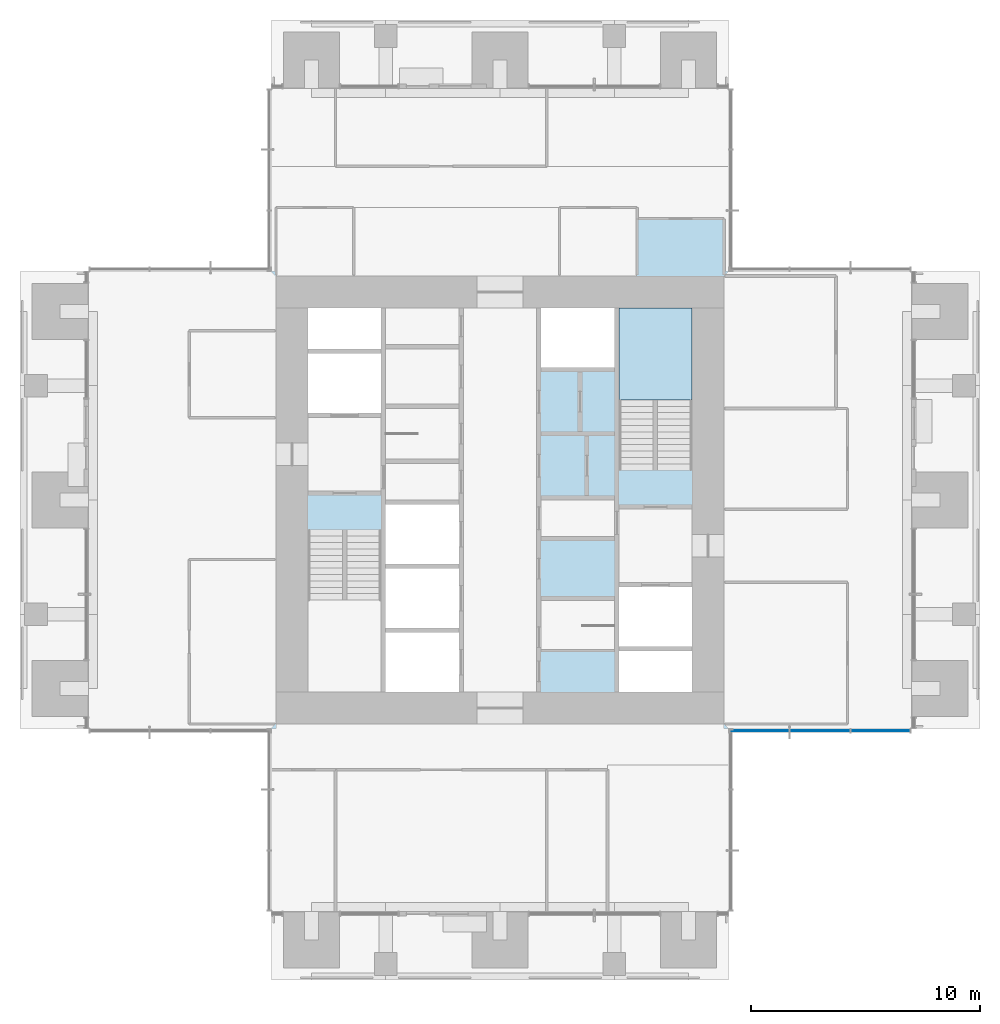
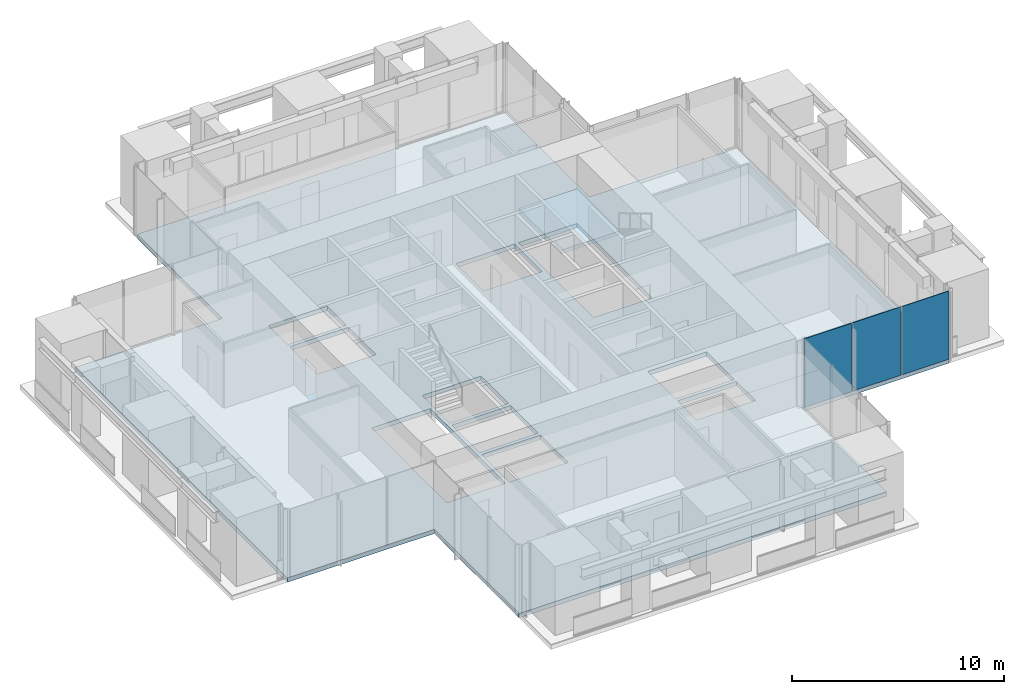
# One storey, part 9 of 17: 3 plates, 2 slabs, 2 elements without a shape of their own.
"""IFC4 building model written with IfcOpenShell, lengths in metres."""

from ifc_helpers import new_model, si_unit, direction, frame, origin, origin_2d, place, context, subcontext, project, spatial, polyline, rectangle, outline, extrude, material, layer, layer_set, type_object, element, aggregate, save


model = new_model("IFC4")

# Units and contexts
model_context = context("Model", 3, precision=1e-05, world=origin(), true_north=direction((0.0, 1.0)))
body_context = subcontext(model_context, "Body", "Model", "MODEL_VIEW")
ifc_project = project(units=[si_unit("LENGTHUNIT", "METRE"), si_unit("AREAUNIT", "SQUARE_METRE"), si_unit("VOLUMEUNIT", "CUBIC_METRE"), si_unit("PLANEANGLEUNIT", "RADIAN"), si_unit("MASSUNIT", "GRAM", prefix="KILO")], contexts=[model_context])

# Site, building, storey
site_placement = place(None, origin())
site = spatial("IfcSite", under=ifc_project, at=site_placement, CompositionType="ELEMENT")
building_placement = place(site_placement, origin())
building = spatial("IfcBuilding", under=site, at=building_placement, Name="Svetlomir Tower", CompositionType="ELEMENT")
storey_placement = place(building_placement, frame((0.0, 0.0, 174.5)))
storey = spatial("IfcBuildingStorey", under=building, at=storey_placement, Name="L41", CompositionType="ELEMENT", Elevation=174.5)

# Curtain wall, plates
ifc_material_1 = material(Name="Bronze anodised aluminium curtain wall", Category="aluminium")
curtain_wall_type = type_object("IfcCurtainWallType", Name="CURTAIN WALL CW1 TOWER OFFICE", PredefinedType="NOTDEFINED", material=ifc_material_1)
curtain_wall_placement = place(storey_placement, origin())
curtain_wall = element("IfcCurtainWall", 1, at=curtain_wall_placement, inside=storey, type_object=curtain_wall_type, Name="Curtain wall CW1 L41", PredefinedType="NOTDEFINED")
ifc_material_2 = material(Name="Tinted double glazed unit", Category="glass")
ifc_layer_1 = layer(ifc_material_2, 0.031982421875)
ifc_layer_set_1 = layer_set([ifc_layer_1], Name="Tinted double glazed unit")
plate_type = type_object("IfcPlateType", Name="CW1 GLAZED PANEL 32", PredefinedType="CURTAIN_PANEL", material=ifc_layer_set_1)
plate_1_placement = place(storey_placement, frame((32.349609375, 10.89990234375, 0.06494140625), z_axis=(0.0, 0.0, 1.0), x_axis=(1.0, 0.0, 0.0)))
plate_1 = element("IfcPlate", 2, at=plate_1_placement, type_object=plate_type, Name="CW1 panel 1.1", PredefinedType="CURTAIN_PANEL", context=body_context, shape_type="SweptSolid", body=[
    extrude(rectangle(XDim=2.569091796875, YDim=0.031982421875, at=origin_2d()), origin(), (0.0, 0.0, 1.0), 3.93505859375),
])
plate_2_placement = place(storey_placement, frame((35.0, 10.89990234375, 0.06494140625), z_axis=(0.0, 0.0, 1.0), x_axis=(1.0, 0.0, 0.0)))
plate_2 = element("IfcPlate", 3, at=plate_2_placement, type_object=plate_type, Name="CW1 panel 2.1", PredefinedType="CURTAIN_PANEL", context=body_context, shape_type="SweptSolid", body=[
    extrude(rectangle(XDim=2.6015625, YDim=0.031982421875, at=origin_2d()), origin(), (0.0, 0.0, 1.0), 3.93505859375),
])
plate_3_placement = place(storey_placement, frame((37.650390625, 10.89990234375, 0.06494140625), z_axis=(0.0, 0.0, 1.0), x_axis=(1.0, 0.0, 0.0)))
plate_3 = element("IfcPlate", 4, at=plate_3_placement, type_object=plate_type, Name="CW1 panel 3.1", PredefinedType="CURTAIN_PANEL", context=body_context, shape_type="SweptSolid", body=[
    extrude(rectangle(XDim=2.569091796875, YDim=0.031982421875, at=origin_2d()), origin(), (0.0, 0.0, 1.0), 3.93505859375),
])
aggregate(curtain_wall, [plate_1, plate_2, plate_3])

# Slab
ifc_material_3 = material(Name="Concrete C60/75", Category="concrete")
ifc_layer_2 = layer(ifc_material_3, 0.25)
ifc_layer_set_2 = layer_set([ifc_layer_2], Name="Concrete C60/75")
slab_type_1 = type_object("IfcSlabType", Name="FLOOR SLAB 250", PredefinedType="FLOOR", material=ifc_layer_set_2)
slab_1_placement = place(storey_placement, frame((0.0, 0.0, -0.25)))
element("IfcSlab", 5, at=slab_1_placement, inside=storey, type_object=slab_type_1, Name="L41 floor slab", PredefinedType="FLOOR", context=body_context, shape_type="SweptSolid", body=[
    extrude(outline(polyline([(11.0, 3.0), (31.0, 3.0), (31.0, 11.0), (39.0, 11.0), (39.0, 31.0), (31.0, 31.0), (31.0, 39.0), (11.0, 39.0), (11.0, 31.0), (3.0, 31.0), (3.0, 11.0), (11.0, 11.0), (11.0, 3.0)]), holes=[polyline([(12.60009765625, 24.800048828125), (15.800048828125, 24.800048828125), (15.800048828125, 27.39990234375), (12.60009765625, 27.39990234375), (12.60009765625, 24.800048828125)]), polyline([(26.199951171875, 14.60009765625), (29.39990234375, 14.60009765625), (29.39990234375, 17.199951171875), (26.199951171875, 17.199951171875), (26.199951171875, 14.60009765625)]), polyline([(16.0, 12.60009765625), (19.199951171875, 12.60009765625), (19.199951171875, 15.199951171875), (16.0, 15.199951171875), (16.0, 12.60009765625)]), polyline([(16.0, 15.39990234375), (19.199951171875, 15.39990234375), (19.199951171875, 18.0), (16.0, 18.0), (16.0, 15.39990234375)]), polyline([(16.0, 18.199951171875), (19.199951171875, 18.199951171875), (19.199951171875, 20.800048828125), (16.0, 20.800048828125), (16.0, 18.199951171875)]), polyline([(22.800048828125, 26.800048828125), (26.0, 26.800048828125), (26.0, 29.39990234375), (22.800048828125, 29.39990234375), (22.800048828125, 26.800048828125)]), polyline([(12.60009765625, 27.60009765625), (15.800048828125, 27.60009765625), (15.800048828125, 29.39990234375), (12.60009765625, 29.39990234375), (12.60009765625, 27.60009765625)]), polyline([(26.199951171875, 12.60009765625), (29.39990234375, 12.60009765625), (29.39990234375, 14.39990234375), (26.199951171875, 14.39990234375), (26.199951171875, 12.60009765625)]), polyline([(12.60009765625, 12.60009765625), (15.800048828125, 12.60009765625), (15.800048828125, 19.679931640625), (12.60009765625, 19.679931640625), (12.60009765625, 12.60009765625)]), polyline([(26.199951171875, 22.320068359375), (29.39990234375, 22.320068359375), (29.39990234375, 29.39990234375), (26.199951171875, 29.39990234375), (26.199951171875, 22.320068359375)])]), origin(), (0.0, 0.0, 1.0), 0.25),
])

# Stair, slab
ifc_material_4 = material(Name="Concrete C60/75", Category="concrete")
stair_type = type_object("IfcStairType", Name="EXIT STAIR 3200 RISE 4000", PredefinedType="HALF_TURN_STAIR", material=ifc_material_4)
stair_placement = place(storey_placement, origin())
stair = element("IfcStair", 6, at=stair_placement, inside=storey, type_object=stair_type, Name="Stair S2 L41 to L42", PredefinedType="HALF_TURN_STAIR")
ifc_material_5 = material(Name="Concrete C60/75", Category="concrete")
ifc_layer_3 = layer(ifc_material_5, 0.199951171875)
ifc_layer_set_3 = layer_set([ifc_layer_3], Name="Concrete C60/75")
slab_type_2 = type_object("IfcSlabType", Name="STAIR LANDING 200", PredefinedType="LANDING", material=ifc_layer_set_3)
slab_2_placement = place(storey_placement, frame((0.0, 0.0, 1.800048828125)))
slab_2 = element("IfcSlab", 7, at=slab_2_placement, type_object=slab_type_2, Name="S2 landing 1", PredefinedType="LANDING", context=body_context, shape_type="SweptSolid", body=[
    extrude(outline(polyline([(26.199951171875, 25.3798828125), (29.39990234375, 25.3798828125), (29.39990234375, 29.39990234375), (26.199951171875, 29.39990234375), (26.199951171875, 25.3798828125)])), origin(), (0.0, 0.0, 1.0), 0.199951171875),
])
aggregate(stair, [slab_2])

save(model, "model.ifc")
